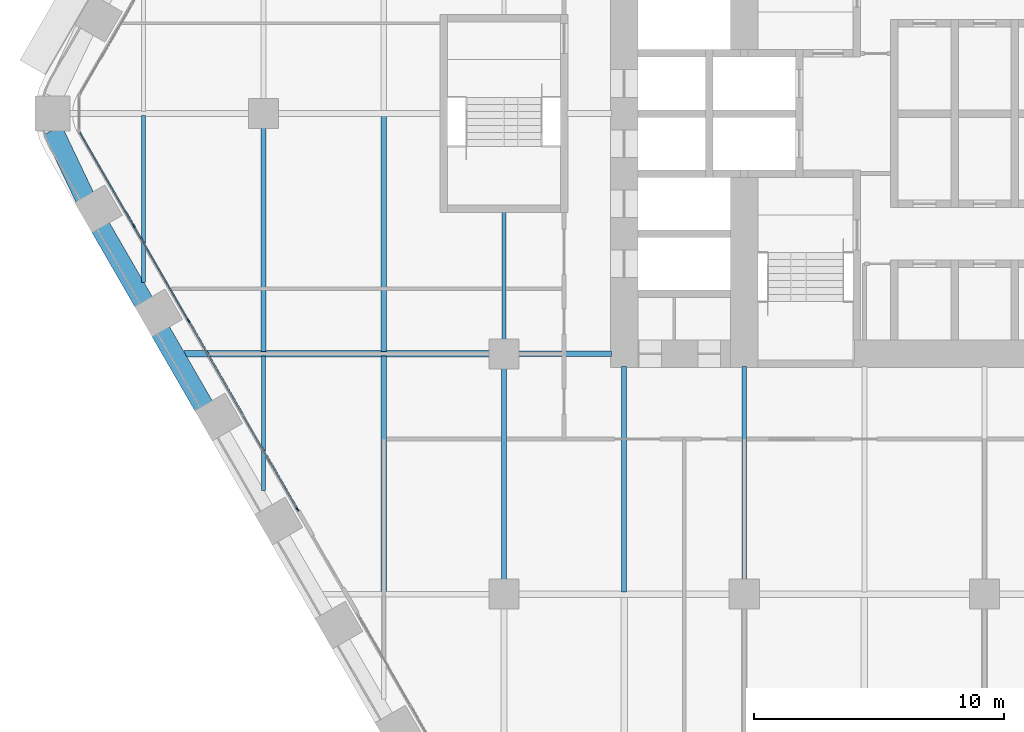
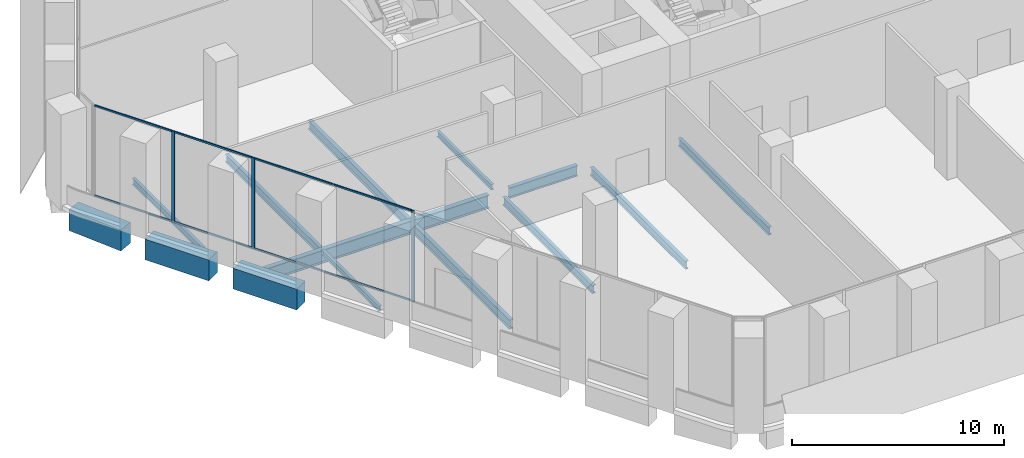
# One storey, part 3 of 27: 14 beams, 11 members, 1 element without a shape of its own.
"""IFC4 building model written with IfcOpenShell, lengths in metres."""

from ifc_helpers import new_model, si_unit, direction, frame, origin, origin_2d, place, context, subcontext, project, spatial, rectangle, i_section, extrude, material, material_profile, profile_set, type_object, element, aggregate, save


model = new_model("IFC4")

# Units and contexts
model_context = context("Model", 3, precision=1e-05, world=origin(), true_north=direction((0.0, 1.0)))
body_context = subcontext(model_context, "Body", "Model", "MODEL_VIEW")
ifc_project = project(units=[si_unit("LENGTHUNIT", "METRE"), si_unit("AREAUNIT", "SQUARE_METRE"), si_unit("VOLUMEUNIT", "CUBIC_METRE"), si_unit("PLANEANGLEUNIT", "RADIAN"), si_unit("MASSUNIT", "GRAM", prefix="KILO")], contexts=[model_context])

# Site, building, storey
site_placement = place(None, origin())
site = spatial("IfcSite", under=ifc_project, at=site_placement, CompositionType="ELEMENT")
building_placement = place(site_placement, origin())
building = spatial("IfcBuilding", under=site, at=building_placement, Name="Kolab Exchange Tower", CompositionType="ELEMENT")
storey_placement = place(building_placement, frame((0.0, 0.0, 49.89990234375)))
storey = spatial("IfcBuildingStorey", under=building, at=storey_placement, Name="L09", CompositionType="ELEMENT", Elevation=49.89990234375)

# Beams
ifc_material_1 = material(Name="Steel S355", Category="steel")
ifc_material_profile_1 = material_profile(ifc_material_1, i_section(OverallWidth=0.1650390625, OverallDepth=0.31005859375, WebThickness=0.005859375, FlangeThickness=0.009765625, at=origin_2d()), Name="W310X39")
ifc_profile_set_1 = profile_set([ifc_material_profile_1], Name="Steel S355")
beam_type_1 = type_object("IfcBeamType", Name="FLOOR BEAM W310X39", PredefinedType="BEAM", material=ifc_profile_set_1)
beam_1_placement = place(storey_placement, frame((-28.800048828125, -15.067626953125, -0.40478515625), z_axis=(0.0, 1.0, 0.0), x_axis=(-1.0, 0.0, 0.0)))
element("IfcBeam", 1, at=beam_1_placement, inside=storey, type_object=beam_type_1, Name="beam/L09/fr/002", PredefinedType="BEAM", context=body_context, shape_type="SweptSolid", body=[
    extrude(i_section(OverallWidth=0.1650390625, OverallDepth=0.31005859375, WebThickness=0.005859375, FlangeThickness=0.009765625, at=origin_2d()), origin(), (0.0, 0.0, 1.0), 5.3740234375),
])
beam_2_placement = place(storey_placement, frame((-19.199951171875, -9.0400390625, -0.40478515625), z_axis=(0.0, 1.0, 0.0), x_axis=(-1.0, 0.0, 0.0)))
element("IfcBeam", 2, at=beam_2_placement, inside=storey, type_object=beam_type_1, Name="beam/L09/fr/014", PredefinedType="BEAM", context=body_context, shape_type="SweptSolid", body=[
    extrude(i_section(OverallWidth=0.1650390625, OverallDepth=0.31005859375, WebThickness=0.005859375, FlangeThickness=0.009765625, at=origin_2d()), origin(), (0.0, 0.0, 1.0), 5.130126953125),
])
ifc_material_profile_2 = material_profile(ifc_material_1, i_section(OverallWidth=0.1708984375, OverallDepth=0.35498046875, WebThickness=0.007080078125, FlangeThickness=0.01171875, at=origin_2d()), Name="W360X51")
ifc_profile_set_2 = profile_set([ifc_material_profile_2], Name="Steel S355")
beam_type_2 = type_object("IfcBeamType", Name="FLOOR BEAM W360X51", PredefinedType="BEAM", material=ifc_profile_set_2)
beam_3_placement = place(storey_placement, frame((-33.60009765625, -6.75390625, -0.427490234375), z_axis=(0.0, 1.0, 0.0), x_axis=(-1.0, 0.0, 0.0)))
element("IfcBeam", 3, at=beam_3_placement, inside=storey, type_object=beam_type_2, Name="beam/L09/fr/000", PredefinedType="BEAM", context=body_context, shape_type="SweptSolid", body=[
    extrude(i_section(OverallWidth=0.1708984375, OverallDepth=0.35498046875, WebThickness=0.007080078125, FlangeThickness=0.01171875, at=origin_2d()), origin(), (0.0, 0.0, 1.0), 6.679931640625),
])
ifc_material_profile_3 = material_profile(ifc_material_1, i_section(OverallWidth=0.18994140625, OverallDepth=0.45703125, WebThickness=0.009033203125, FlangeThickness=0.014404296875, at=origin_2d()), Name="W460X74")
ifc_profile_set_3 = profile_set([ifc_material_profile_3], Name="Steel S355")
beam_type_3 = type_object("IfcBeamType", Name="FLOOR BEAM W460X74", PredefinedType="BEAM", material=ifc_profile_set_3)
beam_4_placement = place(storey_placement, frame((-28.800048828125, -9.506591796875, -0.478515625), z_axis=(0.0, 1.0, 0.0), x_axis=(-1.0, 0.0, 0.0)))
element("IfcBeam", 4, at=beam_4_placement, inside=storey, type_object=beam_type_3, Name="beam/L09/fr/003", PredefinedType="BEAM", context=body_context, shape_type="SweptSolid", body=[
    extrude(i_section(OverallWidth=0.18994140625, OverallDepth=0.45703125, WebThickness=0.009033203125, FlangeThickness=0.014404296875, at=origin_2d()), origin(), (0.0, 0.0, 1.0), 8.946533203125),
])
beam_5_placement = place(storey_placement, frame((-19.199951171875, -18.639892578125, -0.478515625), z_axis=(0.0, 1.0, 0.0), x_axis=(-1.0, 0.0, 0.0)))
element("IfcBeam", 5, at=beam_5_placement, inside=storey, type_object=beam_type_3, Name="beam/L09/fr/013", PredefinedType="BEAM", context=body_context, shape_type="SweptSolid", body=[
    extrude(i_section(OverallWidth=0.18994140625, OverallDepth=0.45703125, WebThickness=0.009033203125, FlangeThickness=0.014404296875, at=origin_2d()), origin(), (0.0, 0.0, 1.0), 8.47998046875),
])
beam_6_placement = place(storey_placement, frame((-14.39990234375, -19.113037109375, -0.478515625), z_axis=(0.0, 1.0, 0.0), x_axis=(-1.0, 0.0, 0.0)))
element("IfcBeam", 6, at=beam_6_placement, inside=storey, type_object=beam_type_3, Name="beam/L09/fr/019", PredefinedType="BEAM", context=body_context, shape_type="SweptSolid", body=[
    extrude(i_section(OverallWidth=0.18994140625, OverallDepth=0.45703125, WebThickness=0.009033203125, FlangeThickness=0.014404296875, at=origin_2d()), origin(), (0.0, 0.0, 1.0), 9.0029296875),
])
beam_7_placement = place(storey_placement, frame((-9.60009765625, -18.639892578125, -0.478515625), z_axis=(0.0, 1.0, 0.0), x_axis=(-1.0, 0.0, 0.0)))
element("IfcBeam", 7, at=beam_7_placement, inside=storey, type_object=beam_type_3, Name="beam/L09/fr/023", PredefinedType="BEAM", context=body_context, shape_type="SweptSolid", body=[
    extrude(i_section(OverallWidth=0.18994140625, OverallDepth=0.45703125, WebThickness=0.009033203125, FlangeThickness=0.014404296875, at=origin_2d()), origin(), (0.0, 0.0, 1.0), 8.52978515625),
])
ifc_material_profile_4 = material_profile(ifc_material_1, i_section(OverallWidth=0.208984375, OverallDepth=0.532958984375, WebThickness=0.01025390625, FlangeThickness=0.015625, at=origin_2d()), Name="W530X92")
ifc_profile_set_4 = profile_set([ifc_material_profile_4], Name="Steel S355")
beam_type_4 = type_object("IfcBeamType", Name="FLOOR BEAM W530X92", PredefinedType="BEAM", material=ifc_profile_set_4)
beam_8_placement = place(storey_placement, frame((-24.0, -19.1259765625, -0.516357421875), z_axis=(0.0, 1.0, 0.0), x_axis=(-1.0, 0.0, 0.0)))
element("IfcBeam", 8, at=beam_8_placement, inside=storey, type_object=beam_type_4, Name="beam/L09/fr/007", PredefinedType="BEAM", context=body_context, shape_type="SweptSolid", body=[
    extrude(i_section(OverallWidth=0.208984375, OverallDepth=0.532958984375, WebThickness=0.01025390625, FlangeThickness=0.015625, at=origin_2d()), origin(), (0.0, 0.0, 1.0), 9.432373046875),
])
beam_9_placement = place(storey_placement, frame((-24.0, -9.506591796875, -0.516357421875), z_axis=(0.0, 1.0, 0.0), x_axis=(-1.0, 0.0, 0.0)))
element("IfcBeam", 9, at=beam_9_placement, inside=storey, type_object=beam_type_4, Name="beam/L09/fr/008", PredefinedType="BEAM", context=body_context, shape_type="SweptSolid", body=[
    extrude(i_section(OverallWidth=0.208984375, OverallDepth=0.532958984375, WebThickness=0.01025390625, FlangeThickness=0.015625, at=origin_2d()), origin(), (0.0, 0.0, 1.0), 9.4326171875),
])
ifc_material_profile_5 = material_profile(ifc_material_1, i_section(OverallWidth=0.22802734375, OverallDepth=0.60791015625, WebThickness=0.01123046875, FlangeThickness=0.017333984375, at=origin_2d()), Name="W610X113")
ifc_profile_set_5 = profile_set([ifc_material_profile_5], Name="Steel S355")
beam_type_5 = type_object("IfcBeamType", Name="FLOOR GIRDER W610X113", PredefinedType="BEAM", material=ifc_profile_set_5)
beam_10_placement = place(storey_placement, frame((-18.639892578125, -9.60009765625, -0.553955078125), z_axis=(1.0, 0.0, 0.0), x_axis=(0.0, 1.0, 0.0)))
element("IfcBeam", 10, at=beam_10_placement, inside=storey, type_object=beam_type_5, Name="beam/L09/gd/007", PredefinedType="BEAM", context=body_context, shape_type="SweptSolid", body=[
    extrude(i_section(OverallWidth=0.22802734375, OverallDepth=0.60791015625, WebThickness=0.01123046875, FlangeThickness=0.017333984375, at=origin_2d()), origin(), (0.0, 0.0, 1.0), 3.72998046875),
])
ifc_material_profile_6 = material_profile(ifc_material_1, i_section(OverallWidth=0.26708984375, OverallDepth=0.761962890625, WebThickness=0.014404296875, FlangeThickness=0.021484375, at=origin_2d()), Name="W760X173")
ifc_profile_set_6 = profile_set([ifc_material_profile_6], Name="Steel S355")
beam_type_6 = type_object("IfcBeamType", Name="FLOOR GIRDER W760X173", PredefinedType="BEAM", material=ifc_profile_set_6)
beam_11_placement = place(storey_placement, frame((-31.9736328125, -9.60009765625, -0.630859375), z_axis=(1.0, 0.0, 0.0), x_axis=(0.0, 1.0, 0.0)))
element("IfcBeam", 11, at=beam_11_placement, inside=storey, type_object=beam_type_6, Name="beam/L09/gd/001", PredefinedType="BEAM", context=body_context, shape_type="SweptSolid", body=[
    extrude(i_section(OverallWidth=0.26708984375, OverallDepth=0.761962890625, WebThickness=0.014404296875, FlangeThickness=0.021484375, at=origin_2d()), origin(), (0.0, 0.0, 1.0), 12.213623046875),
])
ifc_material_2 = material(Name="Concrete C80/95", Category="concrete")
ifc_material_profile_7 = material_profile(ifc_material_2, rectangle(XDim=0.800048828125, YDim=1.199951171875, at=origin_2d()), Name="RC800X1200")
ifc_profile_set_7 = profile_set([ifc_material_profile_7], Name="Concrete C80/95")
beam_type_7 = type_object("IfcBeamType", Name="SPANDREL BEAM 800X1200 C80/95", PredefinedType="BEAM", material=ifc_profile_set_7)
beam_12_placement = place(storey_placement, frame((-31.18359375, -11.69921875, -0.849853515625), z_axis=(-0.499979528911, 0.866037222451, 0.0), x_axis=(-0.866037222451, -0.499979528911, 0.0)))
element("IfcBeam", 12, at=beam_12_placement, inside=storey, type_object=beam_type_7, Name="beam/L09/sp/F5-06", PredefinedType="BEAM", context=body_context, shape_type="SweptSolid", body=[
    extrude(rectangle(XDim=0.800048828125, YDim=1.199951171875, at=origin_2d()), origin(), (0.0, 0.0, 1.0), 3.480224609375),
])
beam_13_placement = place(storey_placement, frame((-33.58349609375, -7.542236328125, -0.849853515625), z_axis=(-0.500009906705, 0.86601968407, 0.0), x_axis=(-0.86601968407, -0.500009906705, 0.0)))
element("IfcBeam", 13, at=beam_13_placement, inside=storey, type_object=beam_type_7, Name="beam/L09/sp/F5-07", PredefinedType="BEAM", context=body_context, shape_type="SweptSolid", body=[
    extrude(rectangle(XDim=0.800048828125, YDim=1.199951171875, at=origin_2d()), origin(), (0.0, 0.0, 1.0), 3.47998046875),
])
beam_14_placement = place(storey_placement, frame((-35.93798828125, -3.35888671875, -0.849853515625), z_axis=(-0.429555669245, 0.903040379507, 0.0), x_axis=(-0.903040379507, -0.429555669245, 0.0)))
element("IfcBeam", 14, at=beam_14_placement, inside=storey, type_object=beam_type_7, Name="beam/L09/sp/F5-08", PredefinedType="BEAM", context=body_context, shape_type="SweptSolid", body=[
    extrude(rectangle(XDim=0.800048828125, YDim=1.199951171875, at=origin_2d()), origin(), (0.0, 0.0, 1.0), 2.984375),
])

# Curtain wall, members
ifc_material_3 = material(Name="Aluminium EN AW-6063 T6", Category="aluminium")
curtain_wall_type = type_object("IfcCurtainWallType", Name="UNITISED LOW ZONE CURTAIN WALL", PredefinedType="NOTDEFINED", material=ifc_material_3)
curtain_wall_placement = place(storey_placement, origin())
curtain_wall = element("IfcCurtainWall", 15, at=curtain_wall_placement, inside=storey, type_object=curtain_wall_type, Name="cw/L09/F5-2", PredefinedType="NOTDEFINED")
ifc_material_profile_8 = material_profile(ifc_material_3, rectangle(XDim=0.06005859375, YDim=0.159912109375, at=origin_2d()), Name="RECT 60X160")
ifc_profile_set_8 = profile_set([ifc_material_profile_8], Name="Aluminium EN AW-6063 T6")
member_type_1 = type_object("IfcMemberType", Name="UNITISED LOW ZONE MULLION 60 X 160", PredefinedType="MULLION", material=ifc_profile_set_8)
member_1_placement = place(storey_placement, frame((-27.44677734375, -15.811767578125, 0.0), z_axis=(0.0, 0.0, 1.0), x_axis=(-0.866025422102, -0.499999968274, 0.0)))
member_1 = element("IfcMember", 16, at=member_1_placement, type_object=member_type_1, Name="CW1 mullion 1", PredefinedType="MULLION", context=body_context, shape_type="SweptSolid", body=[
    extrude(rectangle(XDim=0.06005859375, YDim=0.159912109375, at=origin_2d()), origin(), (0.0, 0.0, 1.0), 5.25),
])
member_2_placement = place(storey_placement, frame((-31.798583984375, -8.27392578125, 0.0), z_axis=(0.0, 0.0, 1.0), x_axis=(-0.866025422102, -0.499999968274, 0.0)))
member_2 = element("IfcMember", 17, at=member_2_placement, type_object=member_type_1, Name="CW1 mullion 3", PredefinedType="MULLION", context=body_context, shape_type="SweptSolid", body=[
    extrude(rectangle(XDim=0.06005859375, YDim=0.159912109375, at=origin_2d()), origin(), (0.0, 0.0, 1.0), 5.25),
])
member_3_placement = place(storey_placement, frame((-33.982177734375, -4.491943359375, 0.0), z_axis=(0.0, 0.0, 1.0), x_axis=(-0.866025422102, -0.499999968274, 0.0)))
member_3 = element("IfcMember", 18, at=member_3_placement, type_object=member_type_1, Name="CW1 mullion 4", PredefinedType="MULLION", context=body_context, shape_type="SweptSolid", body=[
    extrude(rectangle(XDim=0.06005859375, YDim=0.159912109375, at=origin_2d()), origin(), (0.0, 0.0, 1.0), 5.25),
])
ifc_material_profile_9 = material_profile(ifc_material_3, rectangle(XDim=0.06005859375, YDim=0.10009765625, at=origin_2d()), Name="RECT 60X100")
ifc_profile_set_9 = profile_set([ifc_material_profile_9], Name="Aluminium EN AW-6063 T6")
member_type_2 = type_object("IfcMemberType", Name="UNITISED LOW ZONE TRANSOM 60 X 100", PredefinedType="USERDEFINED", material=ifc_profile_set_9)
member_4_placement = place(storey_placement, frame((-27.461669921875, -15.78564453125, 0.030029296875), z_axis=(-0.500000816281, 0.866024932504, 0.0), x_axis=(-0.866024932504, -0.500000816281, 0.0)))
member_4 = element("IfcMember", 19, at=member_4_placement, type_object=member_type_2, Name="CW1 transom 1.1", ObjectType="TRANSOM", PredefinedType="USERDEFINED", context=body_context, shape_type="SweptSolid", body=[
    extrude(rectangle(XDim=0.06005859375, YDim=0.10009765625, at=origin_2d()), origin(), (0.0, 0.0, 1.0), 4.27685546875),
])
member_5_placement = place(storey_placement, frame((-27.461669921875, -15.78564453125, 5.22021484375), z_axis=(-0.500000816281, 0.866024932504, 0.0), x_axis=(-0.866024932504, -0.500000816281, 0.0)))
member_5 = element("IfcMember", 20, at=member_5_placement, type_object=member_type_2, Name="CW1 transom 1.2", ObjectType="TRANSOM", PredefinedType="USERDEFINED", context=body_context, shape_type="SweptSolid", body=[
    extrude(rectangle(XDim=0.06005859375, YDim=0.10009765625, at=origin_2d()), origin(), (0.0, 0.0, 1.0), 4.27685546875),
])
member_6_placement = place(storey_placement, frame((-29.630126953125, -12.02978515625, 0.030029296875), z_axis=(-0.500010313095, 0.866019449435, 0.0), x_axis=(-0.866019449435, -0.500010313095, 0.0)))
member_6 = element("IfcMember", 21, at=member_6_placement, type_object=member_type_2, Name="CW1 transom 2.1", ObjectType="TRANSOM", PredefinedType="USERDEFINED", context=body_context, shape_type="SweptSolid", body=[
    extrude(rectangle(XDim=0.06005859375, YDim=0.10009765625, at=origin_2d()), origin(), (0.0, 0.0, 1.0), 4.30712890625),
])
member_7_placement = place(storey_placement, frame((-29.630126953125, -12.02978515625, 5.22021484375), z_axis=(-0.500010313095, 0.866019449435, 0.0), x_axis=(-0.866019449435, -0.500010313095, 0.0)))
member_7 = element("IfcMember", 22, at=member_7_placement, type_object=member_type_2, Name="CW1 transom 2.2", ObjectType="TRANSOM", PredefinedType="USERDEFINED", context=body_context, shape_type="SweptSolid", body=[
    extrude(rectangle(XDim=0.06005859375, YDim=0.10009765625, at=origin_2d()), origin(), (0.0, 0.0, 1.0), 4.30712890625),
])
member_8_placement = place(storey_placement, frame((-31.813720703125, -8.247802734375, 0.030029296875), z_axis=(-0.499967798808, 0.866043994353, 0.0), x_axis=(-0.866043994353, -0.499967798808, 0.0)))
member_8 = element("IfcMember", 23, at=member_8_placement, type_object=member_type_2, Name="CW1 transom 3.1", ObjectType="TRANSOM", PredefinedType="USERDEFINED", context=body_context, shape_type="SweptSolid", body=[
    extrude(rectangle(XDim=0.06005859375, YDim=0.10009765625, at=origin_2d()), origin(), (0.0, 0.0, 1.0), 4.306884765625),
])
member_9_placement = place(storey_placement, frame((-31.813720703125, -8.247802734375, 5.22021484375), z_axis=(-0.499967798808, 0.866043994353, 0.0), x_axis=(-0.866043994353, -0.499967798808, 0.0)))
member_9 = element("IfcMember", 24, at=member_9_placement, type_object=member_type_2, Name="CW1 transom 3.2", ObjectType="TRANSOM", PredefinedType="USERDEFINED", context=body_context, shape_type="SweptSolid", body=[
    extrude(rectangle(XDim=0.06005859375, YDim=0.10009765625, at=origin_2d()), origin(), (0.0, 0.0, 1.0), 4.306884765625),
])
member_10_placement = place(storey_placement, frame((-33.9970703125, -4.4658203125, 0.030029296875), z_axis=(-0.500043627578, 0.866000213925, 0.0), x_axis=(-0.866000213925, -0.500043627578, 0.0)))
member_10 = element("IfcMember", 25, at=member_10_placement, type_object=member_type_2, Name="CW1 transom 4.1", ObjectType="TRANSOM", PredefinedType="USERDEFINED", context=body_context, shape_type="SweptSolid", body=[
    extrude(rectangle(XDim=0.06005859375, YDim=0.10009765625, at=origin_2d()), origin(), (0.0, 0.0, 1.0), 4.27685546875),
])
member_11_placement = place(storey_placement, frame((-33.9970703125, -4.4658203125, 5.22021484375), z_axis=(-0.500043627578, 0.866000213925, 0.0), x_axis=(-0.866000213925, -0.500043627578, 0.0)))
member_11 = element("IfcMember", 26, at=member_11_placement, type_object=member_type_2, Name="CW1 transom 4.2", ObjectType="TRANSOM", PredefinedType="USERDEFINED", context=body_context, shape_type="SweptSolid", body=[
    extrude(rectangle(XDim=0.06005859375, YDim=0.10009765625, at=origin_2d()), origin(), (0.0, 0.0, 1.0), 4.27685546875),
])
aggregate(curtain_wall, [member_1, member_2, member_3, member_4, member_5, member_6, member_7, member_8, member_9, member_10, member_11])

save(model, "model.ifc")
